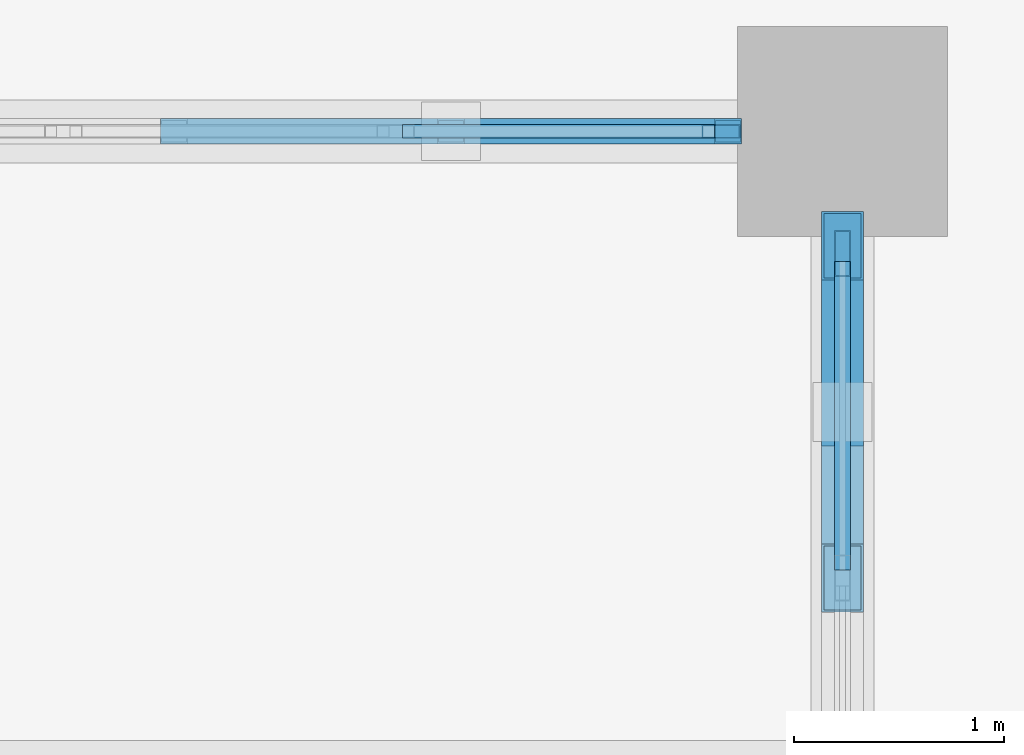
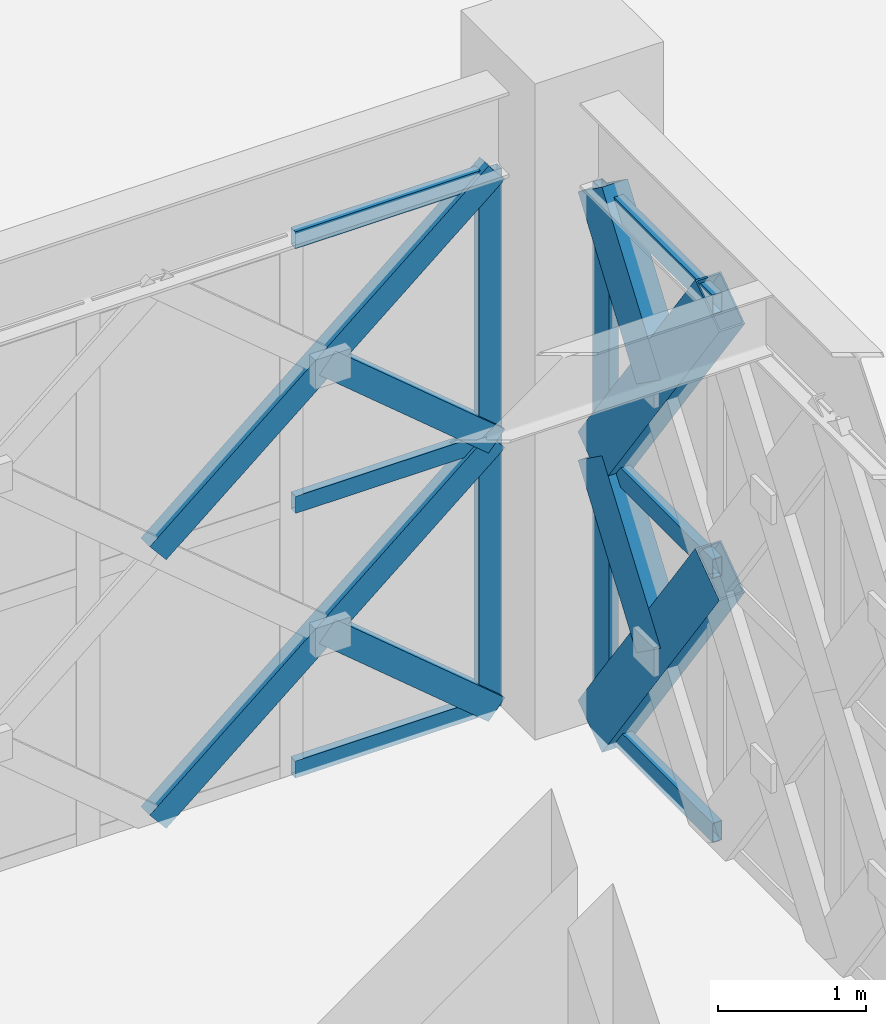
# One storey, part 21 of 140: 16 members, 2 elements without a shape of their own.
"""IFC4 building model written with IfcOpenShell, lengths in metres."""

from ifc_helpers import new_model, si_unit, direction, frame, origin, origin_2d, place, context, subcontext, project, spatial, hollow_rectangle, extrude, material, material_profile, profile_set, type_object, element, aggregate, save


model = new_model("IFC4")

# Units and contexts
model_context = context("Model", 3, precision=1e-05, world=origin(), true_north=direction((0.0, 1.0)))
body_context = subcontext(model_context, "Body", "Model", "MODEL_VIEW")
ifc_project = project(units=[si_unit("LENGTHUNIT", "METRE"), si_unit("AREAUNIT", "SQUARE_METRE"), si_unit("VOLUMEUNIT", "CUBIC_METRE"), si_unit("PLANEANGLEUNIT", "RADIAN"), si_unit("MASSUNIT", "GRAM", prefix="KILO")], contexts=[model_context])

# Site, building, storey
site_placement = place(None, origin())
site = spatial("IfcSite", under=ifc_project, at=site_placement, CompositionType="ELEMENT")
building_placement = place(site_placement, origin())
building = spatial("IfcBuilding", under=site, at=building_placement, Name="Haizhuo Lancet Aquarium", CompositionType="ELEMENT")
storey_placement = place(building_placement, origin())
storey = spatial("IfcBuildingStorey", under=building, at=storey_placement, Name="L00", CompositionType="ELEMENT", Elevation=0.0)

# Curtain wall, member
ifc_material_1 = material(Name="Aluminium 6063-T6", Category="aluminium")
curtain_wall_type_1 = type_object("IfcCurtainWallType", Name="CWO-7910x4420", PredefinedType="NOTDEFINED", material=ifc_material_1)
curtain_wall_1_placement = place(storey_placement, origin())
curtain_wall_1 = element("IfcCurtainWall", 1, at=curtain_wall_1_placement, inside=storey, type_object=curtain_wall_type_1, Name="L00 curtain wall CW-V6-L00-196", PredefinedType="NOTDEFINED")
ifc_material_profile_1 = material_profile(ifc_material_1, hollow_rectangle(XDim=0.06494140625, YDim=0.179931640625, WallThickness=0.00390625, at=origin_2d()), Name="ALU-M 65x180x4")
ifc_profile_set_1 = profile_set([ifc_material_profile_1], Name="Aluminium 6063-T6")
member_type_1 = type_object("IfcMemberType", Name="CW-MUL-1", PredefinedType="MULLION", material=ifc_profile_set_1)
member_1_placement = place(storey_placement, frame((-36.577880859375, -9.0, 0.0), z_axis=(0.0, 0.0, 1.0), x_axis=(0.0, 1.0, 0.0)))
member_1 = element("IfcMember", 2, at=member_1_placement, type_object=member_type_1, Name="CWO-79x44 mullion 6", PredefinedType="MULLION", context=body_context, shape_type="SweptSolid", body=[
    extrude(hollow_rectangle(XDim=0.06494140625, YDim=0.179931640625, WallThickness=0.00390625, at=origin_2d()), origin(), (0.0, 0.0, 1.0), 4.419921875),
])

curtain_wall_type_2 = type_object("IfcCurtainWallType", Name="CWD-7910x4420", PredefinedType="NOTDEFINED", material=ifc_material_1)
curtain_wall_2_placement = place(storey_placement, origin())
curtain_wall_2 = element("IfcCurtainWall", 3, at=curtain_wall_2_placement, inside=storey, type_object=curtain_wall_type_2, Name="L00 curtain wall CW-V6-L00-197", PredefinedType="NOTDEFINED")
ifc_material_profile_2 = material_profile(ifc_material_1, hollow_rectangle(XDim=0.074951171875, YDim=0.219970703125, WallThickness=0.0048828125, at=origin_2d()), Name="ALU-M 75x220x5")
ifc_profile_set_2 = profile_set([ifc_material_profile_2], Name="Aluminium 6063-T6")
member_type_2 = type_object("IfcMemberType", Name="CW-MUL-2", PredefinedType="MULLION", material=ifc_profile_set_2)
member_2_placement = place(storey_placement, frame((-36.0, -9.58203125, 0.0), z_axis=(0.0, 0.0, 1.0), x_axis=(1.0, 0.0, 0.0)))
member_2 = element("IfcMember", 4, at=member_2_placement, type_object=member_type_2, Name="CWD-79x44 mullion 1", PredefinedType="MULLION", context=body_context, shape_type="SweptSolid", body=[
    extrude(hollow_rectangle(XDim=0.074951171875, YDim=0.219970703125, WallThickness=0.0048828125, at=origin_2d()), origin(), (0.0, 0.0, 1.0), 4.419921875),
])

# Member
ifc_material_profile_3 = material_profile(ifc_material_1, hollow_rectangle(XDim=0.06494140625, YDim=0.139892578125, WallThickness=0.00390625, at=origin_2d()), Name="ALU-T 65x140x4")
ifc_profile_set_3 = profile_set([ifc_material_profile_3], Name="Aluminium 6063-T6")
member_type_3 = type_object("IfcMemberType", Name="CW-TRN-1", PredefinedType="NOTDEFINED", material=ifc_profile_set_3)
member_3_placement = place(storey_placement, frame((-38.094970703125, -9.0, 0.032958984375), z_axis=(1.0, 0.0, 0.0), x_axis=(0.0, 1.0, 0.0)))
member_3 = element("IfcMember", 5, at=member_3_placement, type_object=member_type_3, Name="CWO-79x44 transom 5.1", ObjectType="TRANSOM", PredefinedType="USERDEFINED", context=body_context, shape_type="SweptSolid", body=[
    extrude(hollow_rectangle(XDim=0.06494140625, YDim=0.139892578125, WallThickness=0.00390625, at=origin_2d()), origin(), (0.0, 0.0, 1.0), 1.48486328125),
])

member_4_placement = place(storey_placement, frame((-38.094970703125, -9.0, 2.2099609375), z_axis=(1.0, 0.0, 0.0), x_axis=(0.0, 1.0, 0.0)))
member_4 = element("IfcMember", 6, at=member_4_placement, type_object=member_type_3, Name="CWO-79x44 transom 5.2", ObjectType="TRANSOM", PredefinedType="USERDEFINED", context=body_context, shape_type="SweptSolid", body=[
    extrude(hollow_rectangle(XDim=0.06494140625, YDim=0.139892578125, WallThickness=0.00390625, at=origin_2d()), origin(), (0.0, 0.0, 1.0), 1.48486328125),
])

member_5_placement = place(storey_placement, frame((-38.094970703125, -9.0, 4.387939453125), z_axis=(1.0, 0.0, 0.0), x_axis=(0.0, 1.0, 0.0)))
member_5 = element("IfcMember", 7, at=member_5_placement, type_object=member_type_3, Name="CWO-79x44 transom 5.3", ObjectType="TRANSOM", PredefinedType="USERDEFINED", context=body_context, shape_type="SweptSolid", body=[
    extrude(hollow_rectangle(XDim=0.06494140625, YDim=0.139892578125, WallThickness=0.00390625, at=origin_2d()), origin(), (0.0, 0.0, 1.0), 1.48486328125),
])

aggregate(curtain_wall_1, [member_1, member_3, member_4, member_5])

ifc_material_profile_4 = material_profile(ifc_material_1, hollow_rectangle(XDim=0.074951171875, YDim=0.159912109375, WallThickness=0.00390625, at=origin_2d()), Name="ALU-T 75x160x4")
ifc_profile_set_4 = profile_set([ifc_material_profile_4], Name="Aluminium 6063-T6")
member_type_4 = type_object("IfcMemberType", Name="CW-TRN-2", PredefinedType="NOTDEFINED", material=ifc_profile_set_4)
member_6_placement = place(storey_placement, frame((-36.0, -9.6201171875, 0.037109375), z_axis=(0.0, -1.0, 0.0), x_axis=(1.0, 0.0, 0.0)))
member_6 = element("IfcMember", 8, at=member_6_placement, type_object=member_type_4, Name="CWD-79x44 transom 1.1", ObjectType="TRANSOM", PredefinedType="USERDEFINED", context=body_context, shape_type="SweptSolid", body=[
    extrude(hollow_rectangle(XDim=0.074951171875, YDim=0.159912109375, WallThickness=0.00390625, at=origin_2d()), origin(), (0.0, 0.0, 1.0), 1.468994140625),
])

member_7_placement = place(storey_placement, frame((-36.0, -9.6201171875, 2.2099609375), z_axis=(0.0, -1.0, 0.0), x_axis=(1.0, 0.0, 0.0)))
member_7 = element("IfcMember", 9, at=member_7_placement, type_object=member_type_4, Name="CWD-79x44 transom 1.2", ObjectType="TRANSOM", PredefinedType="USERDEFINED", context=body_context, shape_type="SweptSolid", body=[
    extrude(hollow_rectangle(XDim=0.074951171875, YDim=0.159912109375, WallThickness=0.00390625, at=origin_2d()), origin(), (0.0, 0.0, 1.0), 1.468994140625),
])

member_8_placement = place(storey_placement, frame((-36.0, -9.6201171875, 4.383056640625), z_axis=(0.0, -1.0, 0.0), x_axis=(1.0, 0.0, 0.0)))
member_8 = element("IfcMember", 10, at=member_8_placement, type_object=member_type_4, Name="CWD-79x44 transom 1.3", ObjectType="TRANSOM", PredefinedType="USERDEFINED", context=body_context, shape_type="SweptSolid", body=[
    extrude(hollow_rectangle(XDim=0.074951171875, YDim=0.159912109375, WallThickness=0.00390625, at=origin_2d()), origin(), (0.0, 0.0, 1.0), 1.468994140625),
])

aggregate(curtain_wall_2, [member_2, member_6, member_7, member_8])

# Members
ifc_material_2 = material(Name="Steel S355", Category="steel")
ifc_material_profile_5 = material_profile(ifc_material_2, hollow_rectangle(XDim=0.1201171875, YDim=0.199951171875, WallThickness=0.008056640625, at=origin_2d()), Name="RHS 120x200x8")
ifc_profile_set_5 = profile_set([ifc_material_profile_5], Name="Steel S355")
member_type_5 = type_object("IfcMemberType", Name="MEM-LB-RHS120x200", PredefinedType="BRACE", material=ifc_profile_set_5)
member_9_placement = place(storey_placement, frame((-39.181884765625, -9.0, 0.0), z_axis=(0.766432673157, 0.0, 0.642324651182), x_axis=(0.0, 1.0, 0.0)))
element("IfcMember", 11, at=member_9_placement, inside=storey, type_object=member_type_5, Name="Gothic lancet continuous diagonal brace CW-V6-L00-196 5A", PredefinedType="BRACE", context=body_context, shape_type="SweptSolid", body=[
    extrude(hollow_rectangle(XDim=0.1201171875, YDim=0.199951171875, WallThickness=0.008056640625, at=origin_2d()), origin(), (0.0, 0.0, 1.0), 3.440673828125),
])
member_10_placement = place(storey_placement, frame((-36.544921875, -9.0, 0.0), z_axis=(-0.76657899599, 0.0, 0.64215001589), x_axis=(0.0, -1.0, 0.0)))
element("IfcMember", 12, at=member_10_placement, inside=storey, type_object=member_type_5, Name="Gothic lancet split diagonal brace CW-V6-L00-196 5B1", PredefinedType="BRACE", context=body_context, shape_type="SweptSolid", body=[
    extrude(hollow_rectangle(XDim=0.1201171875, YDim=0.199951171875, WallThickness=0.008056640625, at=origin_2d()), origin(), (0.0, 0.0, 1.0), 1.720703125),
])
member_11_placement = place(storey_placement, frame((-39.181884765625, -9.0, 2.2099609375), z_axis=(0.766432673157, 0.0, 0.642324651182), x_axis=(0.0, 1.0, 0.0)))
element("IfcMember", 13, at=member_11_placement, inside=storey, type_object=member_type_5, Name="Gothic lancet continuous diagonal brace CW-V6-L00-196 6A", PredefinedType="BRACE", context=body_context, shape_type="SweptSolid", body=[
    extrude(hollow_rectangle(XDim=0.1201171875, YDim=0.199951171875, WallThickness=0.008056640625, at=origin_2d()), origin(), (0.0, 0.0, 1.0), 3.440673828125),
])
member_12_placement = place(storey_placement, frame((-36.544921875, -9.0, 2.2099609375), z_axis=(-0.76657899599, 0.0, 0.64215001589), x_axis=(0.0, -1.0, 0.0)))
element("IfcMember", 14, at=member_12_placement, inside=storey, type_object=member_type_5, Name="Gothic lancet split diagonal brace CW-V6-L00-196 6B1", PredefinedType="BRACE", context=body_context, shape_type="SweptSolid", body=[
    extrude(hollow_rectangle(XDim=0.1201171875, YDim=0.199951171875, WallThickness=0.008056640625, at=origin_2d()), origin(), (0.0, 0.0, 1.0), 1.720703125),
])
ifc_material_profile_6 = material_profile(ifc_material_2, hollow_rectangle(XDim=0.199951171875, YDim=0.39990234375, WallThickness=0.011962890625, at=origin_2d()), Name="RHS 200x400x12")
ifc_profile_set_6 = profile_set([ifc_material_profile_6], Name="Steel S355")
member_type_6 = type_object("IfcMemberType", Name="MEM-LB-RHS200x400", PredefinedType="BRACE", material=ifc_profile_set_6)
member_13_placement = place(storey_placement, frame((-36.0, -9.544921875, 0.0), z_axis=(0.0, -0.582087604305, 0.813126079347), x_axis=(1.0, 0.0, 0.0)))
element("IfcMember", 15, at=member_13_placement, inside=storey, type_object=member_type_6, Name="Gothic lancet continuous diagonal brace CW-V6-L00-197 1A", PredefinedType="BRACE", context=body_context, shape_type="SweptSolid", body=[
    extrude(hollow_rectangle(XDim=0.199951171875, YDim=0.39990234375, WallThickness=0.011962890625, at=origin_2d()), origin(), (0.0, 0.0, 1.0), 2.7177734375),
])
member_14_placement = place(storey_placement, frame((-36.0, -10.3359375, 1.10498046875), z_axis=(0.0, 0.582087604305, 0.813126079347), x_axis=(-1.0, 0.0, 0.0)))
element("IfcMember", 16, at=member_14_placement, inside=storey, type_object=member_type_6, Name="Gothic lancet split diagonal brace CW-V6-L00-197 1B2", PredefinedType="BRACE", context=body_context, shape_type="SweptSolid", body=[
    extrude(hollow_rectangle(XDim=0.199951171875, YDim=0.39990234375, WallThickness=0.011962890625, at=origin_2d()), origin(), (0.0, 0.0, 1.0), 1.35888671875),
])
member_15_placement = place(storey_placement, frame((-36.0, -9.544921875, 2.2099609375), z_axis=(0.0, -0.582087604305, 0.813126079347), x_axis=(1.0, 0.0, 0.0)))
element("IfcMember", 17, at=member_15_placement, inside=storey, type_object=member_type_6, Name="Gothic lancet continuous diagonal brace CW-V6-L00-197 2A", PredefinedType="BRACE", context=body_context, shape_type="SweptSolid", body=[
    extrude(hollow_rectangle(XDim=0.199951171875, YDim=0.39990234375, WallThickness=0.011962890625, at=origin_2d()), origin(), (0.0, 0.0, 1.0), 2.7177734375),
])
member_16_placement = place(storey_placement, frame((-36.0, -10.3359375, 3.31494140625), z_axis=(0.0, 0.582087604305, 0.813126079347), x_axis=(-1.0, 0.0, 0.0)))
element("IfcMember", 18, at=member_16_placement, inside=storey, type_object=member_type_6, Name="Gothic lancet split diagonal brace CW-V6-L00-197 2B2", PredefinedType="BRACE", context=body_context, shape_type="SweptSolid", body=[
    extrude(hollow_rectangle(XDim=0.199951171875, YDim=0.39990234375, WallThickness=0.011962890625, at=origin_2d()), origin(), (0.0, 0.0, 1.0), 1.35888671875),
])

save(model, "model.ifc")
